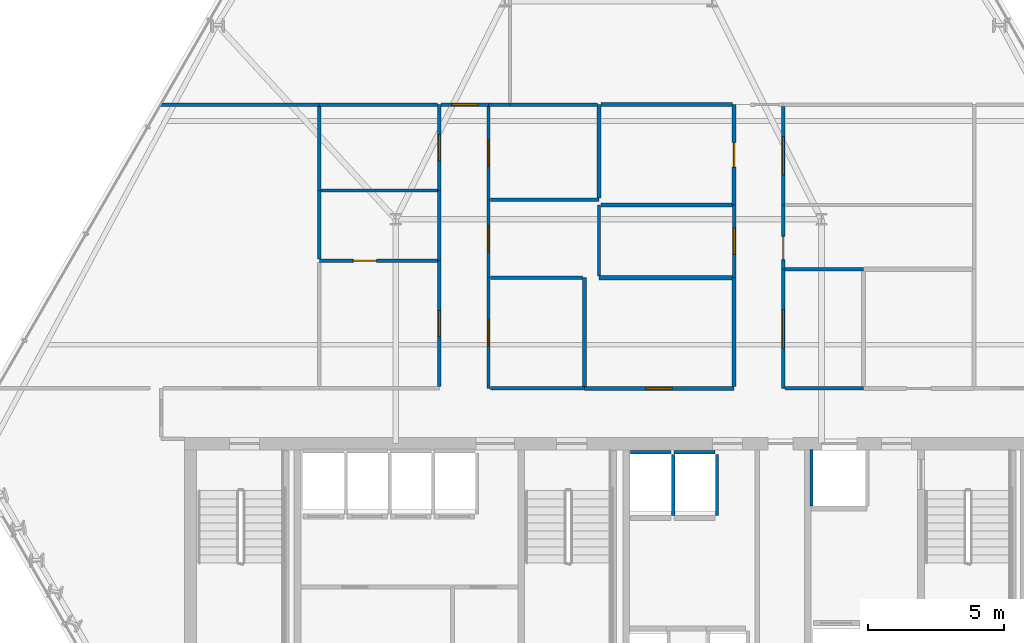
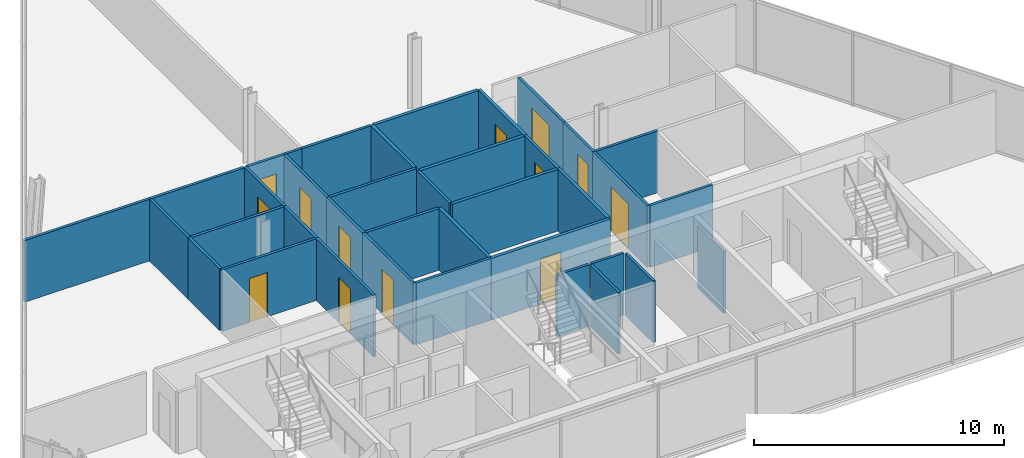
# One storey, part 27 of 32: 38 walls, 13 doors, 13 openings.
"""IFC4 building model written with IfcOpenShell, lengths in metres."""

import ifcopenshell
import ifcopenshell.guid

model = None  # the IFC model being written
_history = None  # IfcOwnerHistory: only IFC2X3 demands one
_inside = {}  # id of a spatial element -> (the spatial element, [elements in it])
_under = {}  # id of a project, library or spatial element -> (it, [spatial elements below it])
_declared = {}  # id of a project -> (the project, [libraries it declares])
_typed = {}  # id of a type object -> (the type object, [elements of that type])
_made_of = {}  # id of a material, layer set ... -> (it, [elements and type objects made of it])


def new_model(schema):
    """Start an empty IFC model of exactly this schema.

    Asked for "IFC4X3", IfcOpenShell would pick the latest addendum, in which some entities
    have other attributes; the version numbers below select the first issue.
    IFC2X3 requires an IfcOwnerHistory on every rooted entity: one is made here for all.
    """
    global model, _history
    if schema == "IFC4X3":
        model = ifcopenshell.file(schema_version=(4, 3, 0, 0))
    else:
        model = ifcopenshell.file(schema=schema)
    _inside.clear()
    _under.clear()
    _declared.clear()
    _typed.clear()
    _made_of.clear()
    _history = None
    if model.schema == "IFC2X3":
        org = make("IfcOrganization", Name="unknown")
        user = make(
            "IfcPersonAndOrganization",
            ThePerson=make("IfcPerson", FamilyName="unknown"),
            TheOrganization=org,
        )
        app = make(
            "IfcApplication",
            ApplicationDeveloper=org,
            Version="unknown",
            ApplicationFullName="unknown",
            ApplicationIdentifier="unknown",
        )
        _history = make(
            "IfcOwnerHistory",
            OwningUser=user,
            OwningApplication=app,
            ChangeAction="ADDED",
            CreationDate=0,
        )
    return model


def make(cls, **values):
    """One entity of the class cls with the attributes given. An attribute that is None is left unset."""
    return model.create_entity(
        cls, **{name: value for name, value in values.items() if value is not None}
    )


def rooted(cls, **values):
    """An entity with a GlobalId (a new one), such as an element, a storey or a relation."""
    return make(cls, GlobalId=ifcopenshell.guid.new(), OwnerHistory=_history, **values)


def si_unit(unit_type, name, prefix=None):
    """IfcSIUnit, for example si_unit("LENGTHUNIT", "METRE", prefix="MILLI")."""
    return make("IfcSIUnit", UnitType=unit_type, Prefix=prefix, Name=name)


def assignment(units):
    """IfcUnitAssignment: the units of a project."""
    return None if units is None else make("IfcUnitAssignment", Units=units)


def point(xyz):
    """IfcCartesianPoint."""
    return None if xyz is None else make("IfcCartesianPoint", Coordinates=xyz)


def direction(xyz):
    """IfcDirection."""
    return None if xyz is None else make("IfcDirection", DirectionRatios=xyz)


def frame(location, z_axis=None, x_axis=None):
    """IfcAxis2Placement3D, a coordinate frame: its origin and axes. An axis left out is left unset."""
    return make(
        "IfcAxis2Placement3D",
        Location=point(location),
        Axis=direction(z_axis),
        RefDirection=direction(x_axis),
    )


def frame_2d(location, x_axis=None):
    """IfcAxis2Placement2D, a coordinate frame in the plane: its origin and x axis."""
    return make(
        "IfcAxis2Placement2D", Location=point(location), RefDirection=direction(x_axis)
    )


def origin():
    """The frame at (0, 0, 0) with its axes left unset."""
    return frame((0.0, 0.0, 0.0))


def place(relative_to, where):
    """IfcLocalPlacement: puts the frame where relative to a parent placement (None: the world)."""
    return make(
        "IfcLocalPlacement", PlacementRelTo=relative_to, RelativePlacement=where
    )


def context(
    kind, dimensions, precision=None, world=None, true_north=None, identifier=None
):
    """IfcGeometricRepresentationContext, for example the 3D "Model" context."""
    return make(
        "IfcGeometricRepresentationContext",
        ContextIdentifier=identifier,
        ContextType=kind,
        CoordinateSpaceDimension=dimensions,
        Precision=precision,
        WorldCoordinateSystem=world,
        TrueNorth=true_north,
    )


def subcontext(parent, identifier, kind, view, scale=None):
    """IfcGeometricRepresentationSubContext, for example "Body" below "Model"."""
    return make(
        "IfcGeometricRepresentationSubContext",
        ContextIdentifier=identifier,
        ContextType=kind,
        ParentContext=parent,
        TargetScale=scale,
        TargetView=view,
    )


def project(units=None, contexts=None):
    """IfcProject with its units and contexts."""
    return rooted(
        "IfcProject",
        Name="project",
        RepresentationContexts=contexts,
        UnitsInContext=assignment(units),
    )


def spatial(cls, under=None, at=None, **own):
    """A site, building, storey or space (cls), placed at a placement, below another one or the project."""
    s = rooted(cls, ObjectPlacement=at, **own)
    if under is not None:
        _under.setdefault(under.id(), (under, []))[1].append(s)
    return s


def profile(cls, at=None, kind="AREA", **sizes):
    """A parametric profile (cls). Its sizes go by their IFC names, for example OverallWidth=200.0."""
    return make(cls, ProfileType=kind, Position=at, **sizes)


def rectangle(**sizes):
    """IfcRectangleProfileDef."""
    return profile("IfcRectangleProfileDef", **sizes)


def extrude(swept, where, along, depth):
    """IfcExtrudedAreaSolid: the profile swept, set in the frame where, extruded along a direction by depth."""
    return make(
        "IfcExtrudedAreaSolid",
        SweptArea=swept,
        Position=where,
        ExtrudedDirection=direction(along),
        Depth=depth,
    )


def shape(context_of_items, identifier, shape_type, items):
    """IfcShapeRepresentation: the items that make up one representation, for example the "Body"."""
    return make(
        "IfcShapeRepresentation",
        ContextOfItems=context_of_items,
        RepresentationIdentifier=identifier,
        RepresentationType=shape_type,
        Items=items,
    )


def material(Name=None, Category=None):
    """IfcMaterial."""
    return make("IfcMaterial", Name=Name, Category=Category)


def layer(
    of_material, thickness, ventilated=None, Name=None, Category=None, Priority=None
):
    """IfcMaterialLayer: one layer of a wall or slab, of a material (None: an air gap)."""
    return make(
        "IfcMaterialLayer",
        Material=of_material,
        LayerThickness=thickness,
        IsVentilated=ventilated,
        Name=Name,
        Category=Category,
        Priority=Priority,
    )


def layer_set(layers, Name=None):
    """IfcMaterialLayerSet."""
    return make("IfcMaterialLayerSet", MaterialLayers=layers, LayerSetName=Name)


def made_of(thing, what):
    """Note that an element or type object is made of a material, layer set ...; save() writes the relation."""
    if what is not None:
        _made_of.setdefault(what.id(), (what, []))[1].append(thing)
    return thing


def type_object(cls, material=None, **own):
    """A type object (cls), such as IfcWallType, which elements share."""
    return made_of(rooted(cls, **own), material)


def element(
    cls,
    number,
    at=None,
    inside=None,
    cuts=None,
    type_object=None,
    material=None,
    context=None,
    identifier="Body",
    shape_type=None,
    held_by="IfcProductDefinitionShape",
    body=None,
    shapes=None,
    **own,
):
    """One element of the class cls, such as IfcWall. Its Tag is "e" and its number.

    at: its placement. inside: the storey or other place that contains it. cuts: it is an
    opening in that element (IfcRelVoidsElement). A single representation is given by context,
    identifier, shape_type and body (its items); several are given by shapes. held_by: the class
    of the entity that holds the representations. save() writes the other relations.
    """
    e = rooted(cls, Tag="e%d" % number, ObjectPlacement=at, **own)
    if body is not None:
        shapes = [shape(context, identifier, shape_type, body)]
    if shapes is not None:
        e.Representation = make(held_by, Representations=shapes)
    if inside is not None:
        _inside.setdefault(inside.id(), (inside, []))[1].append(e)
    if cuts is not None:
        rooted(
            "IfcRelVoidsElement", RelatingBuildingElement=cuts, RelatedOpeningElement=e
        )
    if type_object is not None:
        _typed.setdefault(type_object.id(), (type_object, []))[1].append(e)
    return made_of(e, material)


def fill(opening, filler):
    """IfcRelFillsElement: the door or window that sits in an opening."""
    return rooted(
        "IfcRelFillsElement",
        RelatingOpeningElement=opening,
        RelatedBuildingElement=filler,
    )


def aggregate(whole, parts):
    """IfcRelAggregates: a whole, such as a stair, and the parts it consists of."""
    return rooted("IfcRelAggregates", RelatingObject=whole, RelatedObjects=parts)


def save(model, path):
    """Write the relations noted so far, then the file.

    IfcRelAggregates (storeys below a building ...), IfcRelContainedInSpatialStructure (elements
    in a storey), IfcRelDefinesByType, IfcRelAssociatesMaterial and IfcRelDeclares: one each for
    every whole, place, type object, material and project.
    """
    for whole, parts in _under.values():
        aggregate(whole, parts)
    for where, things in _inside.values():
        rooted(
            "IfcRelContainedInSpatialStructure",
            RelatedElements=things,
            RelatingStructure=where,
        )
    for kind, things in _typed.values():
        rooted("IfcRelDefinesByType", RelatedObjects=things, RelatingType=kind)
    for what, things in _made_of.values():
        rooted("IfcRelAssociatesMaterial", RelatedObjects=things, RelatingMaterial=what)
    for by, libraries in _declared.values():
        rooted("IfcRelDeclares", RelatingContext=by, RelatedDefinitions=libraries)
    model.write(path)


model = new_model("IFC4")

# Units and contexts
model_context = context("Model", 3, precision=1e-05, world=origin(), true_north=direction((0.0, 1.0)))
body_context = subcontext(model_context, "Body", "Model", "MODEL_VIEW")
ifc_project = project(units=[si_unit("LENGTHUNIT", "METRE"), si_unit("AREAUNIT", "SQUARE_METRE"), si_unit("VOLUMEUNIT", "CUBIC_METRE"), si_unit("PLANEANGLEUNIT", "RADIAN"), si_unit("MASSUNIT", "GRAM", prefix="KILO")], contexts=[model_context])

# Site, building, storey
site_placement = place(None, origin())
site = spatial("IfcSite", under=ifc_project, at=site_placement, CompositionType="ELEMENT")
building_placement = place(site_placement, origin())
building = spatial("IfcBuilding", under=site, at=building_placement, Name="Ndaravel Arena Tower", CompositionType="ELEMENT")
storey_placement = place(building_placement, frame((0.0, 0.0, 157.39990234375)))
storey = spatial("IfcBuildingStorey", under=building, at=storey_placement, Name="L37", CompositionType="ELEMENT", Elevation=157.39990234375)

# Wall, opening, door
ifc_material_1 = material(Name="Gypsum", Category="gypsum")
ifc_layer_1 = layer(ifc_material_1, 0.125)
ifc_layer_set_1 = layer_set([ifc_layer_1], Name="Gypsum")
wall_type_1 = type_object("IfcWallType", Name="WALL-PART-125", PredefinedType="PARTITIONING", material=ifc_layer_set_1)
wall_1_placement = place(storey_placement, frame((35.800048828125, 17.06494140625, 0.0), z_axis=(0.0, 0.0, 1.0), x_axis=(0.0, 1.0, 0.0)))
wall_1 = element("IfcWall", 1, at=wall_1_placement, inside=storey, type_object=wall_type_1, Name="L37 Interior Partition 007", PredefinedType="PARTITIONING", context=body_context, shape_type="SweptSolid", body=[
    extrude(rectangle(XDim=4.614990234375, YDim=0.125, at=frame_2d((2.3076171875, 0.0))), origin(), (0.0, 0.0, 1.0), 3.010498046875),
])
opening_1_placement = place(wall_1_placement, frame((1.83251953125, 0.0, 0.0)))
opening_1 = element("IfcOpeningElement", 2, at=opening_1_placement, cuts=wall_1, Name="Opening ID-01", PredefinedType="OPENING", context=body_context, shape_type="SweptSolid", body=[
    extrude(rectangle(XDim=0.949951171875, YDim=2.199951171875, at=frame_2d((0.47509765625, 1.10009765625))), frame((0.0, 0.0625, 0.0), z_axis=(0.0, -1.0, 0.0), x_axis=(1.0, 0.0, 0.0)), (0.0, 0.0, 1.0), 0.125),
])
ifc_material_2 = material(Name="Timber", Category="wood")
door_type_1 = type_object("IfcDoorType", Name="DT-03-OFFICE-950", OperationType="SINGLE_SWING_LEFT", PredefinedType="DOOR", material=ifc_material_2)
door_1_placement = place(opening_1_placement, origin())
door_1 = element("IfcDoor", 3, at=door_1_placement, inside=storey, type_object=door_type_1, Name="L37 Project Seminar Room 3 Door", OperationType="SINGLE_SWING_RIGHT", OverallHeight=2.199951171875, OverallWidth=0.949951171875, PredefinedType="DOOR", context=body_context, shape_type="SweptSolid", body=[
    extrude(rectangle(XDim=0.949951171875, YDim=2.199951171875, at=frame_2d((0.47509765625, 1.10009765625))), frame((0.0, 0.02490234375, 0.0), z_axis=(0.0, -1.0, 0.0), x_axis=(1.0, 0.0, 0.0)), (0.0, 0.0, 1.0), 0.050048828125),
])
fill(opening_1, door_1)

# Wall
wall_2_placement = place(storey_placement, frame((35.800048828125, 21.679931640625, 0.0), z_axis=(0.0, 0.0, 1.0), x_axis=(0.0, 1.0, 0.0)))
element("IfcWall", 4, at=wall_2_placement, inside=storey, type_object=wall_type_1, Name="L37 Interior Partition 008", PredefinedType="PARTITIONING", context=body_context, shape_type="SweptSolid", body=[
    extrude(rectangle(XDim=2.573974609375, YDim=0.125, at=frame_2d((1.287109375, 0.0))), origin(), (0.0, 0.0, 1.0), 3.010498046875),
])

# Wall, opening, door
wall_3_placement = place(storey_placement, frame((35.800048828125, 24.25390625, 0.0), z_axis=(0.0, 0.0, 1.0), x_axis=(0.0, 1.0, 0.0)))
wall_3 = element("IfcWall", 5, at=wall_3_placement, inside=storey, type_object=wall_type_1, Name="L37 Interior Partition 009", PredefinedType="PARTITIONING", context=body_context, shape_type="SweptSolid", body=[
    extrude(rectangle(XDim=3.14599609375, YDim=0.125, at=frame_2d((1.572998046875, 0.0))), origin(), (0.0, 0.0, 1.0), 3.010498046875),
])
opening_2_placement = place(wall_3_placement, frame((1.097900390625, 0.0, 0.0)))
opening_2 = element("IfcOpeningElement", 6, at=opening_2_placement, cuts=wall_3, Name="Opening ID-01", PredefinedType="OPENING", context=body_context, shape_type="SweptSolid", body=[
    extrude(rectangle(XDim=0.949951171875, YDim=2.199951171875, at=frame_2d((0.47509765625, 1.10009765625))), frame((0.0, 0.0625, 0.0), z_axis=(0.0, -1.0, 0.0), x_axis=(1.0, 0.0, 0.0)), (0.0, 0.0, 1.0), 0.125),
])
door_2_placement = place(opening_2_placement, origin())
door_2 = element("IfcDoor", 7, at=door_2_placement, inside=storey, type_object=door_type_1, Name="L37 Project Seminar Room 7 Door", OperationType="SINGLE_SWING_RIGHT", OverallHeight=2.199951171875, OverallWidth=0.949951171875, PredefinedType="DOOR", context=body_context, shape_type="SweptSolid", body=[
    extrude(rectangle(XDim=0.949951171875, YDim=2.199951171875, at=frame_2d((0.47509765625, 1.10009765625))), frame((0.0, 0.02490234375, 0.0), z_axis=(0.0, -1.0, 0.0), x_axis=(1.0, 0.0, 0.0)), (0.0, 0.0, 1.0), 0.050048828125),
])
fill(opening_2, door_2)

wall_4_placement = place(storey_placement, frame((35.864990234375, 27.39990234375, 0.0), z_axis=(0.0, 0.0, 1.0), x_axis=(1.0, 0.0, 0.0)))
wall_4 = element("IfcWall", 8, at=wall_4_placement, inside=storey, type_object=wall_type_1, Name="L37 Interior Partition 010", PredefinedType="PARTITIONING", context=body_context, shape_type="SweptSolid", body=[
    extrude(rectangle(XDim=1.735107421875, YDim=0.125, at=frame_2d((0.86767578125, 0.0))), origin(), (0.0, 0.0, 1.0), 3.010498046875),
])
opening_3_placement = place(wall_4_placement, frame((0.392578125, 0.0, 0.0)))
opening_3 = element("IfcOpeningElement", 9, at=opening_3_placement, cuts=wall_4, Name="Opening ID-01", PredefinedType="OPENING", context=body_context, shape_type="SweptSolid", body=[
    extrude(rectangle(XDim=0.949951171875, YDim=2.199951171875, at=frame_2d((0.47509765625, 1.10009765625))), frame((0.0, 0.0625, 0.0), z_axis=(0.0, -1.0, 0.0), x_axis=(1.0, 0.0, 0.0)), (0.0, 0.0, 1.0), 0.125),
])
door_3_placement = place(opening_3_placement, origin())
door_3 = element("IfcDoor", 10, at=door_3_placement, inside=storey, type_object=door_type_1, Name="L37 Tenant Reception Suite 7 Door", OperationType="SINGLE_SWING_LEFT", OverallHeight=2.199951171875, OverallWidth=0.949951171875, PredefinedType="DOOR", context=body_context, shape_type="SweptSolid", body=[
    extrude(rectangle(XDim=0.949951171875, YDim=2.199951171875, at=frame_2d((0.47509765625, 1.10009765625))), frame((0.0, 0.02490234375, 0.0), z_axis=(0.0, -1.0, 0.0), x_axis=(1.0, 0.0, 0.0)), (0.0, 0.0, 1.0), 0.050048828125),
])
fill(opening_3, door_3)

wall_5_placement = place(storey_placement, frame((37.60009765625, 27.3349609375, 0.0), z_axis=(0.0, 0.0, 1.0), x_axis=(0.0, -1.0, 0.0)))
wall_5 = element("IfcWall", 11, at=wall_5_placement, inside=storey, type_object=wall_type_1, Name="L37 Interior Partition 011", PredefinedType="PARTITIONING", context=body_context, shape_type="SweptSolid", body=[
    extrude(rectangle(XDim=3.424072265625, YDim=0.125, at=frame_2d((1.7119140625, 0.0))), origin(), (0.0, 0.0, 1.0), 3.010498046875),
])
opening_4_placement = place(wall_5_placement, frame((1.237060546875, 0.0, 0.0)))
opening_4 = element("IfcOpeningElement", 12, at=opening_4_placement, cuts=wall_5, Name="Opening ID-01", PredefinedType="OPENING", context=body_context, shape_type="SweptSolid", body=[
    extrude(rectangle(XDim=0.949951171875, YDim=2.199951171875, at=frame_2d((0.47509765625, 1.10009765625))), frame((0.0, 0.0625, 0.0), z_axis=(0.0, -1.0, 0.0), x_axis=(1.0, 0.0, 0.0)), (0.0, 0.0, 1.0), 0.125),
])
door_4_placement = place(opening_4_placement, origin())
door_4 = element("IfcDoor", 13, at=door_4_placement, inside=storey, type_object=door_type_1, Name="L37 Concierge Arrival Salon 6 Door", OperationType="SINGLE_SWING_LEFT", OverallHeight=2.199951171875, OverallWidth=0.949951171875, PredefinedType="DOOR", context=body_context, shape_type="SweptSolid", body=[
    extrude(rectangle(XDim=0.949951171875, YDim=2.199951171875, at=frame_2d((0.47509765625, 1.10009765625))), frame((0.0, 0.02490234375, 0.0), z_axis=(0.0, -1.0, 0.0), x_axis=(1.0, 0.0, 0.0)), (0.0, 0.0, 1.0), 0.050048828125),
])
fill(opening_4, door_4)

wall_6_placement = place(storey_placement, frame((37.60009765625, 23.910888671875, 0.0), z_axis=(0.0, 0.0, 1.0), x_axis=(0.0, -1.0, 0.0)))
wall_6 = element("IfcWall", 14, at=wall_6_placement, inside=storey, type_object=wall_type_1, Name="L37 Interior Partition 012", PredefinedType="PARTITIONING", context=body_context, shape_type="SweptSolid", body=[
    extrude(rectangle(XDim=2.85498046875, YDim=0.125, at=frame_2d((1.427490234375, 0.0))), origin(), (0.0, 0.0, 1.0), 3.010498046875),
])
opening_5_placement = place(wall_6_placement, frame((0.952392578125, 0.0, 0.0)))
opening_5 = element("IfcOpeningElement", 15, at=opening_5_placement, cuts=wall_6, Name="Opening ID-01", PredefinedType="OPENING", context=body_context, shape_type="SweptSolid", body=[
    extrude(rectangle(XDim=0.949951171875, YDim=2.199951171875, at=frame_2d((0.47509765625, 1.10009765625))), frame((0.0, 0.0625, 0.0), z_axis=(0.0, -1.0, 0.0), x_axis=(1.0, 0.0, 0.0)), (0.0, 0.0, 1.0), 0.125),
])
door_5_placement = place(opening_5_placement, origin())
door_5 = element("IfcDoor", 16, at=door_5_placement, inside=storey, type_object=door_type_1, Name="L37 Client Concierge Parlour 4 Door", OperationType="SINGLE_SWING_RIGHT", OverallHeight=2.199951171875, OverallWidth=0.949951171875, PredefinedType="DOOR", context=body_context, shape_type="SweptSolid", body=[
    extrude(rectangle(XDim=0.949951171875, YDim=2.199951171875, at=frame_2d((0.47509765625, 1.10009765625))), frame((0.0, 0.02490234375, 0.0), z_axis=(0.0, -1.0, 0.0), x_axis=(1.0, 0.0, 0.0)), (0.0, 0.0, 1.0), 0.050048828125),
])
fill(opening_5, door_5)

wall_7_placement = place(storey_placement, frame((37.60009765625, 21.055908203125, 0.0), z_axis=(0.0, 0.0, 1.0), x_axis=(0.0, -1.0, 0.0)))
wall_7 = element("IfcWall", 17, at=wall_7_placement, inside=storey, type_object=wall_type_1, Name="L37 Interior Partition 013", PredefinedType="PARTITIONING", context=body_context, shape_type="SweptSolid", body=[
    extrude(rectangle(XDim=4.055908203125, YDim=0.125, at=frame_2d((2.02783203125, 0.0))), origin(), (0.0, 0.0, 1.0), 3.010498046875),
])
opening_6_placement = place(wall_7_placement, frame((1.552978515625, 0.0, 0.0)))
opening_6 = element("IfcOpeningElement", 18, at=opening_6_placement, cuts=wall_7, Name="Opening ID-01", PredefinedType="OPENING", context=body_context, shape_type="SweptSolid", body=[
    extrude(rectangle(XDim=0.949951171875, YDim=2.199951171875, at=frame_2d((0.47509765625, 1.10009765625))), frame((0.0, 0.0625, 0.0), z_axis=(0.0, -1.0, 0.0), x_axis=(1.0, 0.0, 0.0)), (0.0, 0.0, 1.0), 0.125),
])
door_6_placement = place(opening_6_placement, origin())
door_6 = element("IfcDoor", 19, at=door_6_placement, inside=storey, type_object=door_type_1, Name="L37 Floor Security Control Room Door", OperationType="SINGLE_SWING_RIGHT", OverallHeight=2.199951171875, OverallWidth=0.949951171875, PredefinedType="DOOR", context=body_context, shape_type="SweptSolid", body=[
    extrude(rectangle(XDim=0.949951171875, YDim=2.199951171875, at=frame_2d((0.47509765625, 1.10009765625))), frame((0.0, 0.02490234375, 0.0), z_axis=(0.0, -1.0, 0.0), x_axis=(1.0, 0.0, 0.0)), (0.0, 0.0, 1.0), 0.050048828125),
])
fill(opening_6, door_6)

# Wall
wall_8_placement = place(storey_placement, frame((37.6650390625, 17.0, 0.0), z_axis=(0.0, 0.0, 1.0), x_axis=(1.0, 0.0, 0.0)))
element("IfcWall", 20, at=wall_8_placement, inside=storey, type_object=wall_type_1, Name="L37 Interior Partition 014", PredefinedType="PARTITIONING", context=body_context, shape_type="SweptSolid", body=[
    extrude(rectangle(XDim=3.445068359375, YDim=0.125, at=frame_2d((1.72265625, 0.0))), origin(), (0.0, 0.0, 1.0), 3.010498046875),
])

# Wall, opening, door
wall_9_placement = place(storey_placement, frame((46.60009765625, 21.055908203125, 0.0), z_axis=(0.0, 0.0, 1.0), x_axis=(0.0, 1.0, 0.0)))
wall_9 = element("IfcWall", 21, at=wall_9_placement, inside=storey, type_object=wall_type_1, Name="L37 Interior Partition 017", PredefinedType="PARTITIONING", context=body_context, shape_type="SweptSolid", body=[
    extrude(rectangle(XDim=2.66455078125, YDim=0.125, at=frame_2d((1.332275390625, 0.0))), origin(), (0.0, 0.0, 1.0), 3.010498046875),
])
opening_7_placement = place(wall_9_placement, frame((0.857421875, 0.0, 0.0)))
opening_7 = element("IfcOpeningElement", 22, at=opening_7_placement, cuts=wall_9, Name="Opening ID-01", PredefinedType="OPENING", context=body_context, shape_type="SweptSolid", body=[
    extrude(rectangle(XDim=0.949951171875, YDim=2.199951171875, at=frame_2d((0.47509765625, 1.10009765625))), frame((0.0, 0.0625, 0.0), z_axis=(0.0, -1.0, 0.0), x_axis=(1.0, 0.0, 0.0)), (0.0, 0.0, 1.0), 0.125),
])
door_7_placement = place(opening_7_placement, origin())
door_7 = element("IfcDoor", 23, at=door_7_placement, inside=storey, type_object=door_type_1, Name="L37 Training Classroom 4 Door", OperationType="SINGLE_SWING_LEFT", OverallHeight=2.199951171875, OverallWidth=0.949951171875, PredefinedType="DOOR", context=body_context, shape_type="SweptSolid", body=[
    extrude(rectangle(XDim=0.949951171875, YDim=2.199951171875, at=frame_2d((0.47509765625, 1.10009765625))), frame((0.0, 0.02490234375, 0.0), z_axis=(0.0, -1.0, 0.0), x_axis=(1.0, 0.0, 0.0)), (0.0, 0.0, 1.0), 0.050048828125),
])
fill(opening_7, door_7)

wall_10_placement = place(storey_placement, frame((48.39990234375, 27.3349609375, 0.0), z_axis=(0.0, 0.0, 1.0), x_axis=(0.0, -1.0, 0.0)))
wall_10 = element("IfcWall", 24, at=wall_10_placement, inside=storey, type_object=wall_type_1, Name="L37 Interior Partition 020", PredefinedType="PARTITIONING", context=body_context, shape_type="SweptSolid", body=[
    extrude(rectangle(XDim=3.614501953125, YDim=0.125, at=frame_2d((1.80712890625, 0.0))), origin(), (0.0, 0.0, 1.0), 3.010498046875),
])
opening_8_placement = place(wall_10_placement, frame((1.107177734375, 0.0, 0.0)))
opening_8 = element("IfcOpeningElement", 25, at=opening_8_placement, cuts=wall_10, Name="Opening ID-02", PredefinedType="OPENING", context=body_context, shape_type="SweptSolid", body=[
    extrude(rectangle(XDim=1.39990234375, YDim=2.199951171875, at=frame_2d((0.699951171875, 1.10009765625))), frame((0.0, 0.0625, 0.0), z_axis=(0.0, -1.0, 0.0), x_axis=(1.0, 0.0, 0.0)), (0.0, 0.0, 1.0), 0.125),
])
ifc_material_3 = material(Name="Timber", Category="wood")
door_type_2 = type_object("IfcDoorType", Name="DT-04-SUITE-1400", OperationType="DOUBLE_DOOR_SINGLE_SWING", PredefinedType="DOOR", material=ifc_material_3)
door_8_placement = place(opening_8_placement, origin())
door_8 = element("IfcDoor", 26, at=door_8_placement, inside=storey, type_object=door_type_2, Name="L37 Client Conference Room 6 Door", OperationType="SINGLE_SWING_RIGHT", OverallHeight=2.199951171875, OverallWidth=1.39990234375, PredefinedType="DOOR", context=body_context, shape_type="SweptSolid", body=[
    extrude(rectangle(XDim=1.39990234375, YDim=2.199951171875, at=frame_2d((0.699951171875, 1.10009765625))), frame((0.0, 0.02490234375, 0.0), z_axis=(0.0, -1.0, 0.0), x_axis=(1.0, 0.0, 0.0)), (0.0, 0.0, 1.0), 0.050048828125),
])
fill(opening_8, door_8)

wall_11_placement = place(storey_placement, frame((48.39990234375, 21.367919921875, 0.0), z_axis=(0.0, 0.0, 1.0), x_axis=(0.0, -1.0, 0.0)))
wall_11 = element("IfcWall", 27, at=wall_11_placement, inside=storey, type_object=wall_type_1, Name="L37 Interior Partition 022", PredefinedType="PARTITIONING", context=body_context, shape_type="SweptSolid", body=[
    extrude(rectangle(XDim=4.367919921875, YDim=0.125, at=frame_2d((2.18408203125, 0.0))), origin(), (0.0, 0.0, 1.0), 3.010498046875),
])
opening_9_placement = place(wall_11_placement, frame((1.48388671875, 0.0, 0.0)))
opening_9 = element("IfcOpeningElement", 28, at=opening_9_placement, cuts=wall_11, Name="Opening ID-02", PredefinedType="OPENING", context=body_context, shape_type="SweptSolid", body=[
    extrude(rectangle(XDim=1.39990234375, YDim=2.199951171875, at=frame_2d((0.699951171875, 1.10009765625))), frame((0.0, 0.0625, 0.0), z_axis=(0.0, -1.0, 0.0), x_axis=(1.0, 0.0, 0.0)), (0.0, 0.0, 1.0), 0.125),
])
door_9_placement = place(opening_9_placement, origin())
door_9 = element("IfcDoor", 29, at=door_9_placement, inside=storey, type_object=door_type_2, Name="L37 Client Conference Room 2 Door", OperationType="SINGLE_SWING_RIGHT", OverallHeight=2.199951171875, OverallWidth=1.39990234375, PredefinedType="DOOR", context=body_context, shape_type="SweptSolid", body=[
    extrude(rectangle(XDim=1.39990234375, YDim=2.199951171875, at=frame_2d((0.699951171875, 1.10009765625))), frame((0.0, 0.02490234375, 0.0), z_axis=(0.0, -1.0, 0.0), x_axis=(1.0, 0.0, 0.0)), (0.0, 0.0, 1.0), 0.050048828125),
])
fill(opening_9, door_9)

# Walls
wall_12_placement = place(storey_placement, frame((48.465087890625, 17.0, 0.0), z_axis=(0.0, 0.0, 1.0), x_axis=(1.0, 0.0, 0.0)))
element("IfcWall", 30, at=wall_12_placement, inside=storey, type_object=wall_type_1, Name="L37 Interior Partition 023", PredefinedType="PARTITIONING", context=body_context, shape_type="SweptSolid", body=[
    extrude(rectangle(XDim=2.875, YDim=0.125, at=frame_2d((1.4375, 0.0))), origin(), (0.0, 0.0, 1.0), 3.010498046875),
])
wall_13_placement = place(storey_placement, frame((37.6650390625, 21.055908203125, 0.0), z_axis=(0.0, 0.0, 1.0), x_axis=(1.0, 0.0, 0.0)))
element("IfcWall", 31, at=wall_13_placement, inside=storey, type_object=wall_type_1, Name="L37 Interior Partition 029", PredefinedType="PARTITIONING", context=body_context, shape_type="SweptSolid", body=[
    extrude(rectangle(XDim=3.3798828125, YDim=0.125, at=frame_2d((1.68994140625, 0.0))), origin(), (0.0, 0.0, 1.0), 3.010498046875),
])
wall_14_placement = place(storey_placement, frame((48.465087890625, 21.367919921875, 0.0), z_axis=(0.0, 0.0, 1.0), x_axis=(1.0, 0.0, 0.0)))
element("IfcWall", 32, at=wall_14_placement, inside=storey, type_object=wall_type_1, Name="L37 Interior Partition 031", PredefinedType="PARTITIONING", context=body_context, shape_type="SweptSolid", body=[
    extrude(rectangle(XDim=2.875, YDim=0.125, at=frame_2d((1.4375, 0.0))), origin(), (0.0, 0.0, 1.0), 3.010498046875),
])
wall_15_placement = place(storey_placement, frame((25.58056640625, 27.39990234375, 0.0), z_axis=(0.0, 0.0, 1.0), x_axis=(1.0, 0.0, 0.0)))
element("IfcWall", 33, at=wall_15_placement, inside=storey, type_object=wall_type_1, Name="L37 Interior Partition 040", PredefinedType="PARTITIONING", context=body_context, shape_type="SweptSolid", body=[
    extrude(rectangle(XDim=5.8193359375, YDim=0.125, at=frame_2d((2.90966796875, 0.0))), origin(), (0.0, 0.0, 1.0), 3.010498046875),
])
wall_16_placement = place(storey_placement, frame((31.39990234375, 27.3349609375, 0.0), z_axis=(0.0, 0.0, 1.0), x_axis=(0.0, -1.0, 0.0)))
element("IfcWall", 34, at=wall_16_placement, inside=storey, type_object=wall_type_1, Name="L37 Interior Partition 041", PredefinedType="PARTITIONING", context=body_context, shape_type="SweptSolid", body=[
    extrude(rectangle(XDim=3.0810546875, YDim=0.125, at=frame_2d((1.54052734375, 0.0))), origin(), (0.0, 0.0, 1.0), 3.010498046875),
])
wall_17_placement = place(storey_placement, frame((31.39990234375, 24.25390625, 0.0), z_axis=(0.0, 0.0, 1.0), x_axis=(0.0, -1.0, 0.0)))
element("IfcWall", 35, at=wall_17_placement, inside=storey, type_object=wall_type_1, Name="L37 Interior Partition 042", PredefinedType="PARTITIONING", context=body_context, shape_type="SweptSolid", body=[
    extrude(rectangle(XDim=2.5087890625, YDim=0.125, at=frame_2d((1.25439453125, 0.0))), origin(), (0.0, 0.0, 1.0), 3.010498046875),
])
wall_18_placement = place(storey_placement, frame((41.64990234375, 21.12109375, 0.0), z_axis=(0.0, 0.0, 1.0), x_axis=(0.0, 1.0, 0.0)))
element("IfcWall", 36, at=wall_18_placement, inside=storey, type_object=wall_type_1, Name="L37 Interior Partition 043", PredefinedType="PARTITIONING", context=body_context, shape_type="SweptSolid", body=[
    extrude(rectangle(XDim=2.599365234375, YDim=0.125, at=frame_2d((1.2998046875, 0.0))), origin(), (0.0, 0.0, 1.0), 3.010498046875),
])
wall_19_placement = place(storey_placement, frame((37.6650390625, 23.910888671875, 0.0), z_axis=(0.0, 0.0, 1.0), x_axis=(1.0, 0.0, 0.0)))
element("IfcWall", 37, at=wall_19_placement, inside=storey, type_object=wall_type_1, Name="L37 Interior Partition 045", PredefinedType="PARTITIONING", context=body_context, shape_type="SweptSolid", body=[
    extrude(rectangle(XDim=3.98486328125, YDim=0.125, at=frame_2d((1.992431640625, 0.0))), origin(), (0.0, 0.0, 1.0), 3.010498046875),
])
wall_20_placement = place(storey_placement, frame((31.465087890625, 24.25390625, 0.0), z_axis=(0.0, 0.0, 1.0), x_axis=(1.0, 0.0, 0.0)))
element("IfcWall", 38, at=wall_20_placement, inside=storey, type_object=wall_type_1, Name="L37 Interior Partition 047", PredefinedType="PARTITIONING", context=body_context, shape_type="SweptSolid", body=[
    extrude(rectangle(XDim=4.27001953125, YDim=0.125, at=frame_2d((2.135009765625, 0.0))), origin(), (0.0, 0.0, 1.0), 3.010498046875),
])
wall_21_placement = place(storey_placement, frame((37.60009765625, 27.39990234375, 0.0), z_axis=(0.0, 0.0, 1.0), x_axis=(1.0, 0.0, 0.0)))
element("IfcWall", 39, at=wall_21_placement, inside=storey, type_object=wall_type_1, Name="L37 Interior Partition 051", PredefinedType="PARTITIONING", context=body_context, shape_type="SweptSolid", body=[
    extrude(rectangle(XDim=0.78759765625, YDim=0.125, at=frame_2d((0.393798828125, 0.0))), origin(), (0.0, 0.0, 1.0), 3.010498046875),
])
wall_22_placement = place(storey_placement, frame((38.3876953125, 27.39990234375, 0.0), z_axis=(0.0, 0.0, 1.0), x_axis=(1.0, 0.0, 0.0)))
element("IfcWall", 40, at=wall_22_placement, inside=storey, type_object=wall_type_1, Name="L37 Interior Partition 052", PredefinedType="PARTITIONING", context=body_context, shape_type="SweptSolid", body=[
    extrude(rectangle(XDim=3.197265625, YDim=0.125, at=frame_2d((1.5986328125, 0.0))), origin(), (0.0, 0.0, 1.0), 3.010498046875),
])
wall_23_placement = place(storey_placement, frame((31.39990234375, 27.39990234375, 0.0), z_axis=(0.0, 0.0, 1.0), x_axis=(1.0, 0.0, 0.0)))
element("IfcWall", 41, at=wall_23_placement, inside=storey, type_object=wall_type_1, Name="L37 Interior Partition 053", PredefinedType="PARTITIONING", context=body_context, shape_type="SweptSolid", body=[
    extrude(rectangle(XDim=4.335205078125, YDim=0.125, at=frame_2d((2.16748046875, 0.0))), origin(), (0.0, 0.0, 1.0), 3.010498046875),
])
ifc_material_4 = material(Name="Concrete C40/50", Category="concrete")
ifc_layer_2 = layer(ifc_material_4, 0.1201171875)
ifc_layer_set_2 = layer_set([ifc_layer_2], Name="Concrete C40/50")
wall_type_2 = type_object("IfcWallType", Name="WALL-SHAFT-120", PredefinedType="SOLIDWALL", material=ifc_layer_set_2)
wall_24_placement = place(storey_placement, frame((42.804931640625, 14.659912109375, 0.0), z_axis=(0.0, 0.0, 1.0), x_axis=(1.0, 0.0, 0.0)))
element("IfcWall", 42, at=wall_24_placement, inside=storey, type_object=wall_type_2, Name="L37 PL-OBS1 Shaft Rear Wall", PredefinedType="SOLIDWALL", context=body_context, shape_type="SweptSolid", body=[
    extrude(rectangle(XDim=1.489990234375, YDim=0.1201171875, at=frame_2d((0.7451171875, 0.0))), origin(), (0.0, 0.0, 1.0), 3.010498046875),
])
wall_25_placement = place(storey_placement, frame((44.375, 12.340087890625, 0.0), z_axis=(0.0, 0.0, 1.0), x_axis=(0.0, 1.0, 0.0)))
element("IfcWall", 43, at=wall_25_placement, inside=storey, type_object=wall_type_2, Name="L37 PL-OBS1 Shaft Side R Wall", PredefinedType="SOLIDWALL", context=body_context, shape_type="SweptSolid", body=[
    extrude(rectangle(XDim=2.22998046875, YDim=0.1201171875, at=frame_2d((1.114990234375, 0.0))), origin(), (0.0, 0.0, 1.0), 3.010498046875),
])
wall_26_placement = place(storey_placement, frame((44.405029296875, 14.659912109375, 0.0), z_axis=(0.0, 0.0, 1.0), x_axis=(1.0, 0.0, 0.0)))
element("IfcWall", 44, at=wall_26_placement, inside=storey, type_object=wall_type_2, Name="L37 PL-OBS2 Shaft Rear Wall", PredefinedType="SOLIDWALL", context=body_context, shape_type="SweptSolid", body=[
    extrude(rectangle(XDim=1.489990234375, YDim=0.1201171875, at=frame_2d((0.7451171875, 0.0))), origin(), (0.0, 0.0, 1.0), 3.010498046875),
])
wall_27_placement = place(storey_placement, frame((45.97509765625, 12.340087890625, 0.0), z_axis=(0.0, 0.0, 1.0), x_axis=(0.0, 1.0, 0.0)))
element("IfcWall", 45, at=wall_27_placement, inside=storey, type_object=wall_type_2, Name="L37 PL-OBS2 Shaft Side R Wall", PredefinedType="SOLIDWALL", context=body_context, shape_type="SweptSolid", body=[
    extrude(rectangle(XDim=2.22998046875, YDim=0.1201171875, at=frame_2d((1.114990234375, 0.0))), origin(), (0.0, 0.0, 1.0), 3.010498046875),
])
wall_28_placement = place(storey_placement, frame((49.43994140625, 12.68994140625, 0.0), z_axis=(0.0, 0.0, 1.0), x_axis=(0.0, 1.0, 0.0)))
element("IfcWall", 46, at=wall_28_placement, inside=storey, type_object=wall_type_2, Name="L37 SVL-1 Shaft W Wall", PredefinedType="SOLIDWALL", context=body_context, shape_type="SweptSolid", body=[
    extrude(rectangle(XDim=2.070068359375, YDim=0.1201171875, at=frame_2d((1.03515625, 0.0))), origin(), (0.0, 0.0, 1.0), 3.010498046875),
])

# Wall, opening, door
ifc_material_5 = material(Name="Masonry", Category="masonry")
ifc_layer_3 = layer(ifc_material_5, 0.14990234375)
ifc_layer_set_3 = layer_set([ifc_layer_3], Name="Masonry")
wall_type_3 = type_object("IfcWallType", Name="WALL-WET-150", PredefinedType="PARTITIONING", material=ifc_layer_set_3)
wall_29_placement = place(storey_placement, frame((41.110107421875, 17.0, 0.0), z_axis=(0.0, 0.0, 1.0), x_axis=(1.0, 0.0, 0.0)))
wall_29 = element("IfcWall", 47, at=wall_29_placement, inside=storey, type_object=wall_type_3, Name="L37 Interior Partition 015", PredefinedType="PARTITIONING", context=body_context, shape_type="SweptSolid", body=[
    extrude(rectangle(XDim=5.489990234375, YDim=0.14990234375, at=frame_2d((2.7451171875, 0.0))), origin(), (0.0, 0.0, 1.0), 3.010498046875),
])
opening_10_placement = place(wall_29_placement, frame((2.27001953125, 0.0, 0.0)))
opening_10 = element("IfcOpeningElement", 48, at=opening_10_placement, cuts=wall_29, Name="Opening FD-03", PredefinedType="OPENING", context=body_context, shape_type="SweptSolid", body=[
    extrude(rectangle(XDim=0.949951171875, YDim=2.199951171875, at=frame_2d((0.47509765625, 1.10009765625))), frame((0.0, 0.074951171875, 0.0), z_axis=(0.0, -1.0, 0.0), x_axis=(1.0, 0.0, 0.0)), (0.0, 0.0, 1.0), 0.14990234375),
])
ifc_material_6 = material(Name="Steel S355", Category="steel")
door_type_3 = type_object("IfcDoorType", Name="DT-11-CORE-950", OperationType="SINGLE_SWING_LEFT", PredefinedType="DOOR", material=ifc_material_6)
door_10_placement = place(opening_10_placement, origin())
door_10 = element("IfcDoor", 49, at=door_10_placement, inside=storey, type_object=door_type_3, Name="L37 Staff Espresso Kitchen Door", OperationType="SINGLE_SWING_LEFT", OverallHeight=2.199951171875, OverallWidth=0.949951171875, PredefinedType="DOOR", context=body_context, shape_type="SweptSolid", body=[
    extrude(rectangle(XDim=0.949951171875, YDim=2.199951171875, at=frame_2d((0.47509765625, 1.10009765625))), frame((0.0, 0.02490234375, 0.0), z_axis=(0.0, -1.0, 0.0), x_axis=(1.0, 0.0, 0.0)), (0.0, 0.0, 1.0), 0.050048828125),
])
fill(opening_10, door_10)

# Wall
wall_30_placement = place(storey_placement, frame((46.60009765625, 17.06494140625, 0.0), z_axis=(0.0, 0.0, 1.0), x_axis=(0.0, 1.0, 0.0)))
element("IfcWall", 50, at=wall_30_placement, inside=storey, type_object=wall_type_3, Name="L37 Interior Partition 016", PredefinedType="PARTITIONING", context=body_context, shape_type="SweptSolid", body=[
    extrude(rectangle(XDim=3.990966796875, YDim=0.14990234375, at=frame_2d((1.99560546875, 0.0))), origin(), (0.0, 0.0, 1.0), 3.010498046875),
])

# Wall, opening, door
wall_31_placement = place(storey_placement, frame((46.60009765625, 23.720458984375, 0.0), z_axis=(0.0, 0.0, 1.0), x_axis=(0.0, 1.0, 0.0)))
wall_31 = element("IfcWall", 51, at=wall_31_placement, inside=storey, type_object=wall_type_3, Name="L37 Interior Partition 018", PredefinedType="PARTITIONING", context=body_context, shape_type="SweptSolid", body=[
    extrude(rectangle(XDim=3.679443359375, YDim=0.14990234375, at=frame_2d((1.83984375, 0.0))), origin(), (0.0, 0.0, 1.0), 3.010498046875),
])
opening_11_placement = place(wall_31_placement, frame((1.3896484375, 0.0, 0.0)))
opening_11 = element("IfcOpeningElement", 52, at=opening_11_placement, cuts=wall_31, Name="Opening WD-01", PredefinedType="OPENING", context=body_context, shape_type="SweptSolid", body=[
    extrude(rectangle(XDim=0.89990234375, YDim=2.14990234375, at=frame_2d((0.449951171875, 1.074951171875))), frame((0.0, 0.074951171875, 0.0), z_axis=(0.0, -1.0, 0.0), x_axis=(1.0, 0.0, 0.0)), (0.0, 0.0, 1.0), 0.14990234375),
])
ifc_material_7 = material(Name="Timber", Category="wood")
door_type_4 = type_object("IfcDoorType", Name="DT-05-WC-900", OperationType="SINGLE_SWING_LEFT", PredefinedType="DOOR", material=ifc_material_7)
door_11_placement = place(opening_11_placement, origin())
door_11 = element("IfcDoor", 53, at=door_11_placement, inside=storey, type_object=door_type_4, Name="L37 Female & Accessible Restroom Door", OperationType="SINGLE_SWING_LEFT", OverallHeight=2.14990234375, OverallWidth=0.89990234375, PredefinedType="DOOR", context=body_context, shape_type="SweptSolid", body=[
    extrude(rectangle(XDim=0.89990234375, YDim=2.14990234375, at=frame_2d((0.449951171875, 1.074951171875))), frame((0.0, 0.02490234375, 0.0), z_axis=(0.0, -1.0, 0.0), x_axis=(1.0, 0.0, 0.0)), (0.0, 0.0, 1.0), 0.050048828125),
])
fill(opening_11, door_11)

wall_32_placement = place(storey_placement, frame((48.39990234375, 23.720458984375, 0.0), z_axis=(0.0, 0.0, 1.0), x_axis=(0.0, -1.0, 0.0)))
wall_32 = element("IfcWall", 54, at=wall_32_placement, inside=storey, type_object=wall_type_3, Name="L37 Interior Partition 021", PredefinedType="PARTITIONING", context=body_context, shape_type="SweptSolid", body=[
    extrude(rectangle(XDim=2.3525390625, YDim=0.125, at=frame_2d((1.17626953125, 0.0))), origin(), (0.0, 0.0, 1.0), 3.010498046875),
])
opening_12_placement = place(wall_32_placement, frame((1.1513671875, 0.0, 0.0)))
opening_12 = element("IfcOpeningElement", 55, at=opening_12_placement, cuts=wall_32, Name="Opening ID-03", PredefinedType="OPENING", context=body_context, shape_type="SweptSolid", body=[
    extrude(rectangle(XDim=0.85009765625, YDim=2.14990234375, at=frame_2d((0.425048828125, 1.074951171875))), frame((0.0, 0.0625, 0.0), z_axis=(0.0, -1.0, 0.0), x_axis=(1.0, 0.0, 0.0)), (0.0, 0.0, 1.0), 0.125),
])
ifc_material_8 = material(Name="Timber", Category="wood")
door_type_5 = type_object("IfcDoorType", Name="DT-12-SUB-850", OperationType="SINGLE_SWING_LEFT", PredefinedType="DOOR", material=ifc_material_8)
door_12_placement = place(opening_12_placement, origin())
door_12 = element("IfcDoor", 56, at=door_12_placement, inside=storey, type_object=door_type_5, Name="L37 Executive Boardroom 5 Door", OperationType="SINGLE_SWING_LEFT", OverallHeight=2.14990234375, OverallWidth=0.85009765625, PredefinedType="DOOR", context=body_context, shape_type="SweptSolid", body=[
    extrude(rectangle(XDim=0.85009765625, YDim=2.14990234375, at=frame_2d((0.425048828125, 1.074951171875))), frame((0.0, 0.02490234375, 0.0), z_axis=(0.0, -1.0, 0.0), x_axis=(1.0, 0.0, 0.0)), (0.0, 0.0, 1.0), 0.050048828125),
])
fill(opening_12, door_12)

# Walls
wall_33_placement = place(storey_placement, frame((41.110107421875, 21.055908203125, 0.0), z_axis=(0.0, 0.0, 1.0), x_axis=(0.0, -1.0, 0.0)))
element("IfcWall", 57, at=wall_33_placement, inside=storey, type_object=wall_type_3, Name="L37 Interior Partition 028", PredefinedType="PARTITIONING", context=body_context, shape_type="SweptSolid", body=[
    extrude(rectangle(XDim=3.990966796875, YDim=0.14990234375, at=frame_2d((1.99560546875, 0.0))), origin(), (0.0, 0.0, 1.0), 3.010498046875),
])
wall_34_placement = place(storey_placement, frame((41.64990234375, 21.055908203125, 0.0), z_axis=(0.0, 0.0, 1.0), x_axis=(1.0, 0.0, 0.0)))
element("IfcWall", 58, at=wall_34_placement, inside=storey, type_object=wall_type_3, Name="L37 Interior Partition 030", PredefinedType="PARTITIONING", context=body_context, shape_type="SweptSolid", body=[
    extrude(rectangle(XDim=4.885009765625, YDim=0.14990234375, at=frame_2d((2.4423828125, 0.0))), origin(), (0.0, 0.0, 1.0), 3.010498046875),
])

# Wall, opening, door
wall_35_placement = place(storey_placement, frame((31.39990234375, 21.679931640625, 0.0), z_axis=(0.0, 0.0, 1.0), x_axis=(1.0, 0.0, 0.0)))
wall_35 = element("IfcWall", 59, at=wall_35_placement, inside=storey, type_object=wall_type_3, Name="L37 Interior Partition 035", PredefinedType="PARTITIONING", context=body_context, shape_type="SweptSolid", body=[
    extrude(rectangle(XDim=4.335205078125, YDim=0.125, at=frame_2d((2.16748046875, 0.0))), origin(), (0.0, 0.0, 1.0), 3.010498046875),
])
opening_13_placement = place(wall_35_placement, frame((1.242431640625, 0.0, 0.0)))
opening_13 = element("IfcOpeningElement", 60, at=opening_13_placement, cuts=wall_35, Name="Opening ID-03", PredefinedType="OPENING", context=body_context, shape_type="SweptSolid", body=[
    extrude(rectangle(XDim=0.85009765625, YDim=2.14990234375, at=frame_2d((0.425048828125, 1.074951171875))), frame((0.0, 0.0625, 0.0), z_axis=(0.0, -1.0, 0.0), x_axis=(1.0, 0.0, 0.0)), (0.0, 0.0, 1.0), 0.125),
])
door_13_placement = place(opening_13_placement, origin())
door_13 = element("IfcDoor", 61, at=door_13_placement, inside=storey, type_object=door_type_5, Name="L37 Visitor Reception Desk 5 Door", OperationType="SINGLE_SWING_LEFT", OverallHeight=2.14990234375, OverallWidth=0.85009765625, PredefinedType="DOOR", context=body_context, shape_type="SweptSolid", body=[
    extrude(rectangle(XDim=0.85009765625, YDim=2.14990234375, at=frame_2d((0.425048828125, 1.074951171875))), frame((0.0, 0.02490234375, 0.0), z_axis=(0.0, -1.0, 0.0), x_axis=(1.0, 0.0, 0.0)), (0.0, 0.0, 1.0), 0.050048828125),
])
fill(opening_13, door_13)

# Walls
wall_36_placement = place(storey_placement, frame((41.715087890625, 23.720458984375, 0.0), z_axis=(0.0, 0.0, 1.0), x_axis=(1.0, 0.0, 0.0)))
element("IfcWall", 62, at=wall_36_placement, inside=storey, type_object=wall_type_3, Name="L37 Interior Partition 044", PredefinedType="PARTITIONING", context=body_context, shape_type="SweptSolid", body=[
    extrude(rectangle(XDim=4.81982421875, YDim=0.14990234375, at=frame_2d((2.409912109375, 0.0))), origin(), (0.0, 0.0, 1.0), 3.010498046875),
])
wall_37_placement = place(storey_placement, frame((41.64990234375, 23.975830078125, 0.0), z_axis=(0.0, 0.0, 1.0), x_axis=(0.0, 1.0, 0.0)))
element("IfcWall", 63, at=wall_37_placement, inside=storey, type_object=wall_type_3, Name="L37 Interior Partition 048", PredefinedType="PARTITIONING", context=body_context, shape_type="SweptSolid", body=[
    extrude(rectangle(XDim=3.424072265625, YDim=0.14990234375, at=frame_2d((1.7119140625, 0.0))), origin(), (0.0, 0.0, 1.0), 3.010498046875),
])
wall_38_placement = place(storey_placement, frame((41.715087890625, 27.39990234375, 0.0), z_axis=(0.0, 0.0, 1.0), x_axis=(1.0, 0.0, 0.0)))
element("IfcWall", 64, at=wall_38_placement, inside=storey, type_object=wall_type_3, Name="L37 Interior Partition 049", PredefinedType="PARTITIONING", context=body_context, shape_type="SweptSolid", body=[
    extrude(rectangle(XDim=4.81982421875, YDim=0.14990234375, at=frame_2d((2.409912109375, 0.0))), origin(), (0.0, 0.0, 1.0), 3.010498046875),
])

save(model, "model.ifc")
